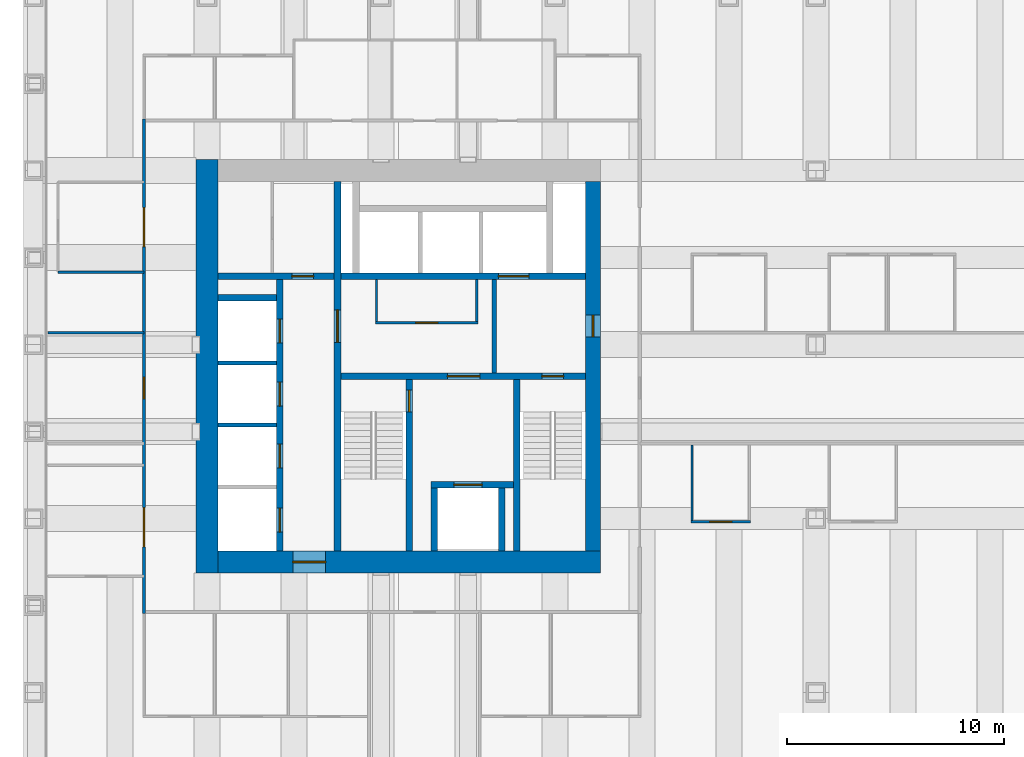
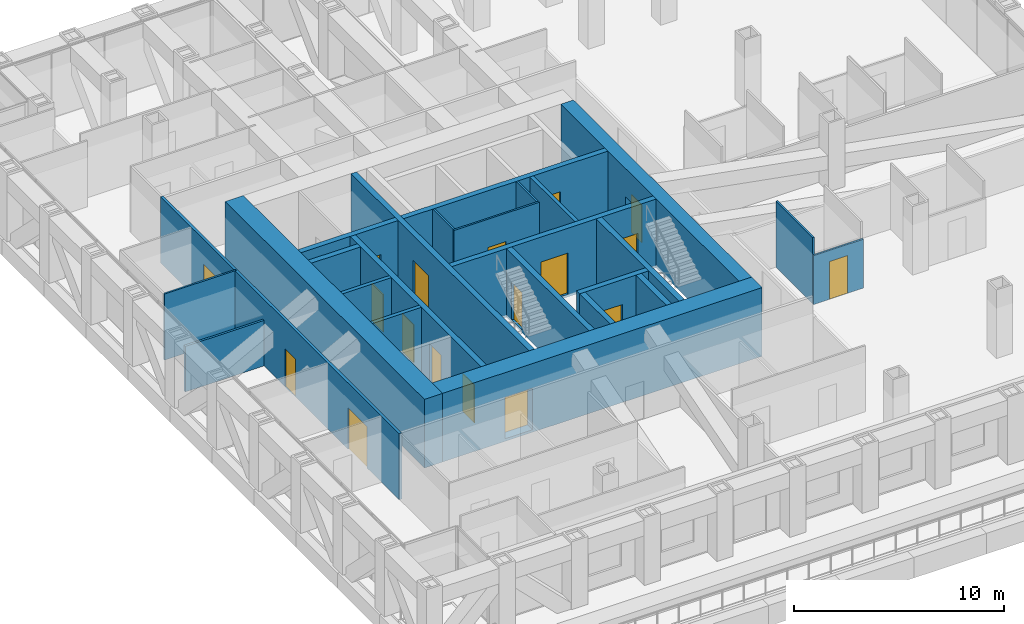
# One storey, part 13 of 18: 25 walls, 18 doors, 18 openings.
"""IFC4 building model written with IfcOpenShell, lengths in metres."""

from ifc_helpers import new_model, si_unit, direction, frame, frame_2d, origin, place, context, subcontext, project, spatial, rectangle, extrude, material, layer, layer_set, type_object, element, fill, save


model = new_model("IFC4")

# Units and contexts
model_context = context("Model", 3, precision=1e-05, world=origin(), true_north=direction((0.0, 1.0)))
body_context = subcontext(model_context, "Body", "Model", "MODEL_VIEW")
ifc_project = project(units=[si_unit("LENGTHUNIT", "METRE"), si_unit("AREAUNIT", "SQUARE_METRE"), si_unit("VOLUMEUNIT", "CUBIC_METRE"), si_unit("PLANEANGLEUNIT", "RADIAN"), si_unit("MASSUNIT", "GRAM", prefix="KILO")], contexts=[model_context])

# Site, building, storey
site_placement = place(None, origin())
site = spatial("IfcSite", under=ifc_project, at=site_placement, CompositionType="ELEMENT")
building_placement = place(site_placement, origin())
building = spatial("IfcBuilding", under=site, at=building_placement, Name="Rimbunsela Tower", CompositionType="ELEMENT")
storey_placement = place(building_placement, frame((0.0, 0.0, 105.39990234375)))
storey = spatial("IfcBuildingStorey", under=building, at=storey_placement, Name="L25", CompositionType="ELEMENT", Elevation=105.39990234375)

# Wall, opening, door
ifc_material_1 = material(Name="Concrete fc' 80 MPa", Category="concrete")
ifc_layer_1 = layer(ifc_material_1, 0.300048828125)
ifc_layer_set_1 = layer_set([ifc_layer_1], Name="Core internal wall 300")
wall_type_1 = type_object("IfcWallType", Name="Core internal wall 300", PredefinedType="SHEAR", material=ifc_layer_set_1)
wall_1_placement = place(storey_placement, frame((24.0, 18.5, -0.14990234375), z_axis=(0.0, 0.0, 1.0), x_axis=(0.0, 1.0, 0.0)))
wall_1 = element("IfcWall", 1, at=wall_1_placement, inside=storey, type_object=wall_type_1, Name="Core wall at stair A", PredefinedType="SHEAR", context=body_context, shape_type="SweptSolid", body=[
    extrude(rectangle(XDim=17.0, YDim=0.300048828125, at=frame_2d((8.5, 0.0))), origin(), (0.0, 0.0, 1.0), 4.0),
])
opening_1_placement = place(wall_1_placement, frame((9.60009765625, 0.0, 0.14990234375)))
opening_1 = element("IfcOpeningElement", 2, at=opening_1_placement, cuts=wall_1, Name="Opening D03", PredefinedType="OPENING", context=body_context, shape_type="SweptSolid", body=[
    extrude(rectangle(XDim=1.5, YDim=2.39990234375, at=frame_2d((0.75, 1.199951171875))), frame((0.0, 0.159912109375, 0.0), z_axis=(0.0, -1.0, 0.0), x_axis=(1.0, 0.0, 0.0)), (0.0, 0.0, 1.0), 0.320068359375),
])
ifc_material_2 = material(Name="Steel door, fire rated", Category="steel")
door_type_1 = type_object("IfcDoorType", Name="Core lobby door 1500", OperationType="DOUBLE_DOOR_DOUBLE_SWING", PredefinedType="DOOR", material=ifc_material_2)
door_1_placement = place(opening_1_placement, origin())
door_1 = element("IfcDoor", 3, at=door_1_placement, inside=storey, type_object=door_type_1, Name="West lobby door", OperationType="DOUBLE_DOOR_DOUBLE_SWING", OverallHeight=2.39990234375, OverallWidth=1.5, PredefinedType="DOOR", context=body_context, shape_type="SweptSolid", body=[
    extrude(rectangle(XDim=1.5, YDim=2.39990234375, at=frame_2d((0.75, 1.199951171875))), frame((0.0, 0.02490234375, 0.0), z_axis=(0.0, -1.0, 0.0), x_axis=(1.0, 0.0, 0.0)), (0.0, 0.0, 1.0), 0.050048828125),
])
fill(opening_1, door_1)

# Wall, openings, doors
wall_2_placement = place(storey_placement, frame((24.14990234375, 26.550048828125, -0.14990234375), z_axis=(0.0, 0.0, 1.0), x_axis=(1.0, 0.0, 0.0)))
wall_2 = element("IfcWall", 4, at=wall_2_placement, inside=storey, type_object=wall_type_1, Name="Core wall lobby south", PredefinedType="SHEAR", context=body_context, shape_type="SweptSolid", body=[
    extrude(rectangle(XDim=11.25, YDim=0.300048828125, at=frame_2d((5.625, 0.0))), origin(), (0.0, 0.0, 1.0), 4.0),
])
opening_2_placement = place(wall_2_placement, frame((9.25, 0.0, 0.14990234375)))
opening_2 = element("IfcOpeningElement", 5, at=opening_2_placement, cuts=wall_2, Name="Opening D01", PredefinedType="OPENING", context=body_context, shape_type="SweptSolid", body=[
    extrude(rectangle(XDim=1.0, YDim=2.199951171875, at=frame_2d((0.5, 1.10009765625))), frame((0.0, 0.159912109375, 0.0), z_axis=(0.0, -1.0, 0.0), x_axis=(1.0, 0.0, 0.0)), (0.0, 0.0, 1.0), 0.320068359375),
])
opening_3_placement = place(wall_2_placement, frame((4.89990234375, 0.0, 0.14990234375)))
opening_3 = element("IfcOpeningElement", 6, at=opening_3_placement, cuts=wall_2, Name="Opening D03", PredefinedType="OPENING", context=body_context, shape_type="SweptSolid", body=[
    extrude(rectangle(XDim=1.5, YDim=2.39990234375, at=frame_2d((0.75, 1.199951171875))), frame((0.0, 0.159912109375, 0.0), z_axis=(0.0, -1.0, 0.0), x_axis=(1.0, 0.0, 0.0)), (0.0, 0.0, 1.0), 0.320068359375),
])
door_2_placement = place(opening_3_placement, origin())
door_2 = element("IfcDoor", 7, at=door_2_placement, inside=storey, type_object=door_type_1, Name="Firefighting lobby door", OperationType="DOUBLE_DOOR_DOUBLE_SWING", OverallHeight=2.39990234375, OverallWidth=1.5, PredefinedType="DOOR", context=body_context, shape_type="SweptSolid", body=[
    extrude(rectangle(XDim=1.5, YDim=2.39990234375, at=frame_2d((0.75, 1.199951171875))), frame((0.0, 0.02490234375, 0.0), z_axis=(0.0, -1.0, 0.0), x_axis=(1.0, 0.0, 0.0)), (0.0, 0.0, 1.0), 0.050048828125),
])
fill(opening_3, door_2)
ifc_material_3 = material(Name="Steel door, fire rated", Category="steel")
door_type_2 = type_object("IfcDoorType", Name="Stair door 1000", OperationType="SINGLE_SWING_RIGHT", PredefinedType="DOOR", material=ifc_material_3)
door_3_placement = place(opening_2_placement, frame((1.0, 0.0, 0.0), z_axis=(0.0, 0.0, 1.0), x_axis=(-1.0, 0.0, 0.0)))
door_3 = element("IfcDoor", 8, at=door_3_placement, inside=storey, type_object=door_type_2, Name="Stair B door", OperationType="SINGLE_SWING_RIGHT", OverallHeight=2.199951171875, OverallWidth=1.0, PredefinedType="DOOR", context=body_context, shape_type="SweptSolid", body=[
    extrude(rectangle(XDim=1.0, YDim=2.199951171875, at=frame_2d((0.5, 1.10009765625))), frame((0.0, 0.02490234375, 0.0), z_axis=(0.0, -1.0, 0.0), x_axis=(1.0, 0.0, 0.0)), (0.0, 0.0, 1.0), 0.050048828125),
])
fill(opening_2, door_3)

# Wall, opening, door
wall_3_placement = place(storey_placement, frame((27.300048828125, 18.5, -0.14990234375), z_axis=(0.0, 0.0, 1.0), x_axis=(0.0, 1.0, 0.0)))
wall_3 = element("IfcWall", 9, at=wall_3_placement, inside=storey, type_object=wall_type_1, Name="Stair A enclosure", PredefinedType="SHEAR", context=body_context, shape_type="SweptSolid", body=[
    extrude(rectangle(XDim=7.89990234375, YDim=0.300048828125, at=frame_2d((3.949951171875, 0.0))), origin(), (0.0, 0.0, 1.0), 4.0),
])
opening_4_placement = place(wall_3_placement, frame((6.39990234375, 0.0, 0.14990234375)))
opening_4 = element("IfcOpeningElement", 10, at=opening_4_placement, cuts=wall_3, Name="Opening D01", PredefinedType="OPENING", context=body_context, shape_type="SweptSolid", body=[
    extrude(rectangle(XDim=1.0, YDim=2.199951171875, at=frame_2d((0.5, 1.10009765625))), frame((0.0, 0.159912109375, 0.0), z_axis=(0.0, -1.0, 0.0), x_axis=(1.0, 0.0, 0.0)), (0.0, 0.0, 1.0), 0.320068359375),
])
door_4_placement = place(opening_4_placement, origin())
door_4 = element("IfcDoor", 11, at=door_4_placement, inside=storey, type_object=door_type_2, Name="Stair A door", OperationType="SINGLE_SWING_RIGHT", OverallHeight=2.199951171875, OverallWidth=1.0, PredefinedType="DOOR", context=body_context, shape_type="SweptSolid", body=[
    extrude(rectangle(XDim=1.0, YDim=2.199951171875, at=frame_2d((0.5, 1.10009765625))), frame((0.0, 0.02490234375, 0.0), z_axis=(0.0, -1.0, 0.0), x_axis=(1.0, 0.0, 0.0)), (0.0, 0.0, 1.0), 0.050048828125),
])
fill(opening_4, door_4)

# Walls
wall_4_placement = place(storey_placement, frame((32.25, 18.5, -0.14990234375), z_axis=(0.0, 0.0, 1.0), x_axis=(0.0, 1.0, 0.0)))
element("IfcWall", 12, at=wall_4_placement, inside=storey, type_object=wall_type_1, Name="Stair B enclosure", PredefinedType="SHEAR", context=body_context, shape_type="SweptSolid", body=[
    extrude(rectangle(XDim=7.89990234375, YDim=0.300048828125, at=frame_2d((3.949951171875, 0.0))), origin(), (0.0, 0.0, 1.0), 4.0),
])
for number, where, z_axis, x_axis, name in (
    (13, (28.449951171875, 18.5, -0.14990234375), (0.0, 0.0, 1.0), (0.0, 1.0, 0.0), "Firefighting lift shaft west"),
    (14, (31.550048828125, 18.5, -0.14990234375), (0.0, 0.0, 1.0), (0.0, 1.0, 0.0), "Firefighting lift shaft east"),
):
    element("IfcWall", number, at=place(storey_placement, frame(where, z_axis=z_axis, x_axis=x_axis)), inside=storey, type_object=wall_type_1, Name=name, PredefinedType="SHEAR", context=body_context, shape_type="SweptSolid", body=[
        extrude(rectangle(XDim=2.89990234375, YDim=0.300048828125, at=frame_2d((1.449951171875, 0.0))), origin(), (0.0, 0.0, 1.0), 4.0),
    ])

# Wall, opening, door
wall_5_placement = place(storey_placement, frame((28.300048828125, 21.550048828125, -0.14990234375), z_axis=(0.0, 0.0, 1.0), x_axis=(1.0, 0.0, 0.0)))
wall_5 = element("IfcWall", 15, at=wall_5_placement, inside=storey, type_object=wall_type_1, Name="Firefighting lift shaft front", PredefinedType="SHEAR", context=body_context, shape_type="SweptSolid", body=[
    extrude(rectangle(XDim=3.800048828125, YDim=0.300048828125, at=frame_2d((1.89990234375, 0.0))), origin(), (0.0, 0.0, 1.0), 4.0),
])
opening_5_placement = place(wall_5_placement, frame((1.050048828125, 0.0, 0.14990234375)))
opening_5 = element("IfcOpeningElement", 16, at=opening_5_placement, cuts=wall_5, Name="Opening LD2", PredefinedType="OPENING", context=body_context, shape_type="SweptSolid", body=[
    extrude(rectangle(XDim=1.300048828125, YDim=2.39990234375, at=frame_2d((0.64990234375, 1.199951171875))), frame((0.0, 0.159912109375, 0.0), z_axis=(0.0, -1.0, 0.0), x_axis=(1.0, 0.0, 0.0)), (0.0, 0.0, 1.0), 0.320068359375),
])
ifc_material_4 = material(Name="Steel door, fire rated", Category="steel")
door_type_3 = type_object("IfcDoorType", Name="Lift landing door 1300", OperationType="DOUBLE_DOOR_SLIDING", PredefinedType="DOOR", material=ifc_material_4)
door_5_placement = place(opening_5_placement, origin())
door_5 = element("IfcDoor", 17, at=door_5_placement, inside=storey, type_object=door_type_3, Name="Lift landing door FL1", OperationType="DOUBLE_DOOR_SLIDING", OverallHeight=2.39990234375, OverallWidth=1.300048828125, PredefinedType="DOOR", context=body_context, shape_type="SweptSolid", body=[
    extrude(rectangle(XDim=1.300048828125, YDim=2.39990234375, at=frame_2d((0.64990234375, 1.199951171875))), frame((0.0, 0.02490234375, 0.0), z_axis=(0.0, -1.0, 0.0), x_axis=(1.0, 0.0, 0.0)), (0.0, 0.0, 1.0), 0.050048828125),
])
fill(opening_5, door_5)

wall_6_placement = place(storey_placement, frame((24.14990234375, 31.14990234375, -0.14990234375), z_axis=(0.0, 0.0, 1.0), x_axis=(1.0, 0.0, 0.0)))
wall_6 = element("IfcWall", 18, at=wall_6_placement, inside=storey, type_object=wall_type_1, Name="Lift shaft front north", PredefinedType="SHEAR", context=body_context, shape_type="SweptSolid", body=[
    extrude(rectangle(XDim=11.25, YDim=0.300048828125, at=frame_2d((5.625, 0.0))), origin(), (0.0, 0.0, 1.0), 4.0),
])
opening_6_placement = place(wall_6_placement, frame((7.25, 0.0, 0.14990234375)))
opening_6 = element("IfcOpeningElement", 19, at=opening_6_placement, cuts=wall_6, Name="Opening LD3", PredefinedType="OPENING", context=body_context, shape_type="SweptSolid", body=[
    extrude(rectangle(XDim=1.39990234375, YDim=2.39990234375, at=frame_2d((0.699951171875, 1.199951171875))), frame((0.0, 0.159912109375, 0.0), z_axis=(0.0, -1.0, 0.0), x_axis=(1.0, 0.0, 0.0)), (0.0, 0.0, 1.0), 0.320068359375),
])
ifc_material_5 = material(Name="Steel door, fire rated", Category="steel")
door_type_4 = type_object("IfcDoorType", Name="Lift landing door 1400", OperationType="DOUBLE_DOOR_SLIDING", PredefinedType="DOOR", material=ifc_material_5)
door_6_placement = place(opening_6_placement, origin())
door_6 = element("IfcDoor", 20, at=door_6_placement, inside=storey, type_object=door_type_4, Name="Lift landing door FL2", OperationType="DOUBLE_DOOR_SLIDING", OverallHeight=2.39990234375, OverallWidth=1.39990234375, PredefinedType="DOOR", context=body_context, shape_type="SweptSolid", body=[
    extrude(rectangle(XDim=1.39990234375, YDim=2.39990234375, at=frame_2d((0.699951171875, 1.199951171875))), frame((0.0, 0.02490234375, 0.0), z_axis=(0.0, -1.0, 0.0), x_axis=(1.0, 0.0, 0.0)), (0.0, 0.0, 1.0), 0.050048828125),
])
fill(opening_6, door_6)

# Wall, openings, doors
wall_7_placement = place(storey_placement, frame((21.35009765625, 18.5, -0.14990234375), z_axis=(0.0, 0.0, 1.0), x_axis=(0.0, 1.0, 0.0)))
wall_7 = element("IfcWall", 21, at=wall_7_placement, inside=storey, type_object=wall_type_1, Name="Lift shaft front west", PredefinedType="SHEAR", context=body_context, shape_type="SweptSolid", body=[
    extrude(rectangle(XDim=12.5, YDim=0.300048828125, at=frame_2d((6.25, 0.0))), origin(), (0.0, 0.0, 1.0), 4.0),
])
opening_7_placement = place(wall_7_placement, frame((0.875, 0.0, 0.14990234375)))
opening_7 = element("IfcOpeningElement", 22, at=opening_7_placement, cuts=wall_7, Name="Opening LD1", PredefinedType="OPENING", context=body_context, shape_type="SweptSolid", body=[
    extrude(rectangle(XDim=1.10009765625, YDim=2.199951171875, at=frame_2d((0.550048828125, 1.10009765625))), frame((0.0, 0.159912109375, 0.0), z_axis=(0.0, -1.0, 0.0), x_axis=(1.0, 0.0, 0.0)), (0.0, 0.0, 1.0), 0.320068359375),
])
opening_8_placement = place(wall_7_placement, frame((3.824951171875, 0.0, 0.14990234375)))
opening_8 = element("IfcOpeningElement", 23, at=opening_8_placement, cuts=wall_7, Name="Opening LD1", PredefinedType="OPENING", context=body_context, shape_type="SweptSolid", body=[
    extrude(rectangle(XDim=1.10009765625, YDim=2.199951171875, at=frame_2d((0.550048828125, 1.10009765625))), frame((0.0, 0.159912109375, 0.0), z_axis=(0.0, -1.0, 0.0), x_axis=(1.0, 0.0, 0.0)), (0.0, 0.0, 1.0), 0.320068359375),
])
opening_9_placement = place(wall_7_placement, frame((6.675048828125, 0.0, 0.14990234375)))
opening_9 = element("IfcOpeningElement", 24, at=opening_9_placement, cuts=wall_7, Name="Opening LD1", PredefinedType="OPENING", context=body_context, shape_type="SweptSolid", body=[
    extrude(rectangle(XDim=1.10009765625, YDim=2.199951171875, at=frame_2d((0.550048828125, 1.10009765625))), frame((0.0, 0.159912109375, 0.0), z_axis=(0.0, -1.0, 0.0), x_axis=(1.0, 0.0, 0.0)), (0.0, 0.0, 1.0), 0.320068359375),
])
opening_10_placement = place(wall_7_placement, frame((9.574951171875, 0.0, 0.14990234375)))
opening_10 = element("IfcOpeningElement", 25, at=opening_10_placement, cuts=wall_7, Name="Opening LD1", PredefinedType="OPENING", context=body_context, shape_type="SweptSolid", body=[
    extrude(rectangle(XDim=1.10009765625, YDim=2.199951171875, at=frame_2d((0.550048828125, 1.10009765625))), frame((0.0, 0.159912109375, 0.0), z_axis=(0.0, -1.0, 0.0), x_axis=(1.0, 0.0, 0.0)), (0.0, 0.0, 1.0), 0.320068359375),
])
ifc_material_6 = material(Name="Steel door, fire rated", Category="steel")
door_type_5 = type_object("IfcDoorType", Name="Lift landing door 1100", OperationType="DOUBLE_DOOR_SLIDING", PredefinedType="DOOR", material=ifc_material_6)
door_7_placement = place(opening_7_placement, origin())
door_7 = element("IfcDoor", 26, at=door_7_placement, inside=storey, type_object=door_type_5, Name="Lift landing door ML1", OperationType="DOUBLE_DOOR_SLIDING", OverallHeight=2.199951171875, OverallWidth=1.10009765625, PredefinedType="DOOR", context=body_context, shape_type="SweptSolid", body=[
    extrude(rectangle(XDim=1.10009765625, YDim=2.199951171875, at=frame_2d((0.550048828125, 1.10009765625))), frame((0.0, 0.02490234375, 0.0), z_axis=(0.0, -1.0, 0.0), x_axis=(1.0, 0.0, 0.0)), (0.0, 0.0, 1.0), 0.050048828125),
])
fill(opening_7, door_7)
door_8_placement = place(opening_8_placement, origin())
door_8 = element("IfcDoor", 27, at=door_8_placement, inside=storey, type_object=door_type_5, Name="Lift landing door ML2", OperationType="DOUBLE_DOOR_SLIDING", OverallHeight=2.199951171875, OverallWidth=1.10009765625, PredefinedType="DOOR", context=body_context, shape_type="SweptSolid", body=[
    extrude(rectangle(XDim=1.10009765625, YDim=2.199951171875, at=frame_2d((0.550048828125, 1.10009765625))), frame((0.0, 0.02490234375, 0.0), z_axis=(0.0, -1.0, 0.0), x_axis=(1.0, 0.0, 0.0)), (0.0, 0.0, 1.0), 0.050048828125),
])
fill(opening_8, door_8)
door_9_placement = place(opening_9_placement, origin())
door_9 = element("IfcDoor", 28, at=door_9_placement, inside=storey, type_object=door_type_5, Name="Lift landing door ML3", OperationType="DOUBLE_DOOR_SLIDING", OverallHeight=2.199951171875, OverallWidth=1.10009765625, PredefinedType="DOOR", context=body_context, shape_type="SweptSolid", body=[
    extrude(rectangle(XDim=1.10009765625, YDim=2.199951171875, at=frame_2d((0.550048828125, 1.10009765625))), frame((0.0, 0.02490234375, 0.0), z_axis=(0.0, -1.0, 0.0), x_axis=(1.0, 0.0, 0.0)), (0.0, 0.0, 1.0), 0.050048828125),
])
fill(opening_9, door_9)
door_10_placement = place(opening_10_placement, origin())
door_10 = element("IfcDoor", 29, at=door_10_placement, inside=storey, type_object=door_type_5, Name="Lift landing door ML4", OperationType="DOUBLE_DOOR_SLIDING", OverallHeight=2.199951171875, OverallWidth=1.10009765625, PredefinedType="DOOR", context=body_context, shape_type="SweptSolid", body=[
    extrude(rectangle(XDim=1.10009765625, YDim=2.199951171875, at=frame_2d((0.550048828125, 1.10009765625))), frame((0.0, 0.02490234375, 0.0), z_axis=(0.0, -1.0, 0.0), x_axis=(1.0, 0.0, 0.0)), (0.0, 0.0, 1.0), 0.050048828125),
])
fill(opening_10, door_10)

# Wall, opening, door
wall_8_placement = place(storey_placement, frame((18.5, 31.14990234375, -0.14990234375), z_axis=(0.0, 0.0, 1.0), x_axis=(1.0, 0.0, 0.0)))
wall_8 = element("IfcWall", 30, at=wall_8_placement, inside=storey, type_object=wall_type_1, Name="Store wall", PredefinedType="SHEAR", context=body_context, shape_type="SweptSolid", body=[
    extrude(rectangle(XDim=5.35009765625, YDim=0.300048828125, at=frame_2d((2.675048828125, 0.0))), origin(), (0.0, 0.0, 1.0), 4.0),
])
opening_11_placement = place(wall_8_placement, frame((3.39990234375, 0.0, 0.14990234375)))
opening_11 = element("IfcOpeningElement", 31, at=opening_11_placement, cuts=wall_8, Name="Opening D19", PredefinedType="OPENING", context=body_context, shape_type="SweptSolid", body=[
    extrude(rectangle(XDim=1.0, YDim=2.199951171875, at=frame_2d((0.5, 1.10009765625))), frame((0.0, 0.159912109375, 0.0), z_axis=(0.0, -1.0, 0.0), x_axis=(1.0, 0.0, 0.0)), (0.0, 0.0, 1.0), 0.320068359375),
])
ifc_material_7 = material(Name="Steel door, fire rated", Category="steel")
door_type_6 = type_object("IfcDoorType", Name="Service door 1000 fire rated", OperationType="SINGLE_SWING_LEFT", PredefinedType="DOOR", material=ifc_material_7)
door_11_placement = place(opening_11_placement, origin())
door_11 = element("IfcDoor", 32, at=door_11_placement, inside=storey, type_object=door_type_6, Name="IT room door", OperationType="SINGLE_SWING_LEFT", OverallHeight=2.199951171875, OverallWidth=1.0, PredefinedType="DOOR", context=body_context, shape_type="SweptSolid", body=[
    extrude(rectangle(XDim=1.0, YDim=2.199951171875, at=frame_2d((0.5, 1.10009765625))), frame((0.0, 0.02490234375, 0.0), z_axis=(0.0, -1.0, 0.0), x_axis=(1.0, 0.0, 0.0)), (0.0, 0.0, 1.0), 0.050048828125),
])
fill(opening_11, door_11)

# Wall
wall_9_placement = place(storey_placement, frame((18.5, 30.14990234375, -0.14990234375), z_axis=(0.0, 0.0, 1.0), x_axis=(1.0, 0.0, 0.0)))
element("IfcWall", 33, at=wall_9_placement, inside=storey, type_object=wall_type_1, Name="Lift shaft rear west", PredefinedType="SHEAR", context=body_context, shape_type="SweptSolid", body=[
    extrude(rectangle(XDim=2.699951171875, YDim=0.300048828125, at=frame_2d((1.35009765625, 0.0))), origin(), (0.0, 0.0, 1.0), 4.0),
])

# Wall, opening, door
ifc_material_8 = material(Name="Concrete blockwork", Category="masonry")
ifc_layer_2 = layer(ifc_material_8, 0.10009765625)
ifc_layer_set_2 = layer_set([ifc_layer_2], Name="Core room partition 100")
wall_type_2 = type_object("IfcWallType", Name="Core room partition 100", PredefinedType="PARTITIONING", material=ifc_layer_set_2)
wall_10_placement = place(storey_placement, frame((25.75, 29.0, 0.0), z_axis=(0.0, 0.0, 1.0), x_axis=(1.0, 0.0, 0.0)))
wall_10 = element("IfcWall", 34, at=wall_10_placement, inside=storey, type_object=wall_type_2, Name="Lobby room wall", PredefinedType="PARTITIONING", context=body_context, shape_type="SweptSolid", body=[
    extrude(rectangle(XDim=4.699951171875, YDim=0.10009765625, at=frame_2d((2.35009765625, 0.0))), origin(), (0.0, 0.0, 1.0), 3.85009765625),
])
opening_12_placement = place(wall_10_placement, frame((1.85009765625, 0.0, 0.0)))
opening_12 = element("IfcOpeningElement", 35, at=opening_12_placement, cuts=wall_10, Name="Opening D19", PredefinedType="OPENING", context=body_context, shape_type="SweptSolid", body=[
    extrude(rectangle(XDim=1.0, YDim=2.199951171875, at=frame_2d((0.5, 1.10009765625))), frame((0.0, 0.06005859375, 0.0), z_axis=(0.0, -1.0, 0.0), x_axis=(1.0, 0.0, 0.0)), (0.0, 0.0, 1.0), 0.1201171875),
])
door_12_placement = place(opening_12_placement, origin())
door_12 = element("IfcDoor", 36, at=door_12_placement, inside=storey, type_object=door_type_6, Name="Tenant store door", OperationType="SINGLE_SWING_LEFT", OverallHeight=2.199951171875, OverallWidth=1.0, PredefinedType="DOOR", context=body_context, shape_type="SweptSolid", body=[
    extrude(rectangle(XDim=1.0, YDim=2.199951171875, at=frame_2d((0.5, 1.10009765625))), frame((0.0, 0.02490234375, 0.0), z_axis=(0.0, -1.0, 0.0), x_axis=(1.0, 0.0, 0.0)), (0.0, 0.0, 1.0), 0.050048828125),
])
fill(opening_12, door_12)

# Walls
for number, where, z_axis, x_axis, name in (
    (37, (25.800048828125, 29.050048828125, 0.0), (0.0, 0.0, 1.0), (0.0, 1.0, 0.0), "Lobby room wall"),
    (38, (30.39990234375, 29.050048828125, 0.0), (0.0, 0.0, 1.0), (0.0, 1.0, 0.0), "Lobby room wall"),
):
    element("IfcWall", number, at=place(storey_placement, frame(where, z_axis=z_axis, x_axis=x_axis)), inside=storey, type_object=wall_type_2, Name=name, PredefinedType="PARTITIONING", context=body_context, shape_type="SweptSolid", body=[
        extrude(rectangle(XDim=1.949951171875, YDim=0.10009765625, at=frame_2d((0.97509765625, 0.0))), origin(), (0.0, 0.0, 1.0), 3.85009765625),
    ])
ifc_material_9 = material(Name="Concrete fc' 80 MPa", Category="concrete")
ifc_layer_3 = layer(ifc_material_9, 1.0)
ifc_layer_set_3 = layer_set([ifc_layer_3], Name="Core wall 1000")
wall_type_3 = type_object("IfcWallType", Name="Core wall 1000", PredefinedType="SHEAR", material=ifc_layer_set_3)
wall_11_placement = place(storey_placement, frame((18.0, 17.5, -0.14990234375), z_axis=(0.0, 0.0, 1.0), x_axis=(0.0, 1.0, 0.0)))
element("IfcWall", 39, at=wall_11_placement, inside=storey, type_object=wall_type_3, Name="Core wall west", PredefinedType="SHEAR", context=body_context, shape_type="SweptSolid", body=[
    extrude(rectangle(XDim=19.0, YDim=1.0, at=frame_2d((9.5, 0.0))), origin(), (0.0, 0.0, 1.0), 4.0),
])

# Wall, opening, door
wall_12_placement = place(storey_placement, frame((18.5, 18.0, -0.14990234375), z_axis=(0.0, 0.0, 1.0), x_axis=(1.0, 0.0, 0.0)))
wall_12 = element("IfcWall", 40, at=wall_12_placement, inside=storey, type_object=wall_type_3, Name="Core wall south", PredefinedType="SHEAR", context=body_context, shape_type="SweptSolid", body=[
    extrude(rectangle(XDim=17.60009765625, YDim=1.0, at=frame_2d((8.800048828125, 0.0))), origin(), (0.0, 0.0, 1.0), 4.0),
])
opening_13_placement = place(wall_12_placement, frame((3.449951171875, 0.0, 0.14990234375)))
opening_13 = element("IfcOpeningElement", 41, at=opening_13_placement, cuts=wall_12, Name="Opening D03", PredefinedType="OPENING", context=body_context, shape_type="SweptSolid", body=[
    extrude(rectangle(XDim=1.5, YDim=2.39990234375, at=frame_2d((0.75, 1.199951171875))), frame((0.0, 0.510009765625, 0.0), z_axis=(0.0, -1.0, 0.0), x_axis=(1.0, 0.0, 0.0)), (0.0, 0.0, 1.0), 1.02001953125),
])
door_13_placement = place(opening_13_placement, origin())
door_13 = element("IfcDoor", 42, at=door_13_placement, inside=storey, type_object=door_type_1, Name="Core door south", OperationType="DOUBLE_DOOR_DOUBLE_SWING", OverallHeight=2.39990234375, OverallWidth=1.5, PredefinedType="DOOR", context=body_context, shape_type="SweptSolid", body=[
    extrude(rectangle(XDim=1.5, YDim=2.39990234375, at=frame_2d((0.75, 1.199951171875))), frame((0.0, 0.02490234375, 0.0), z_axis=(0.0, -1.0, 0.0), x_axis=(1.0, 0.0, 0.0)), (0.0, 0.0, 1.0), 0.050048828125),
])
fill(opening_13, door_13)

ifc_material_10 = material(Name="Concrete fc' 80 MPa", Category="concrete")
ifc_layer_4 = layer(ifc_material_10, 0.699951171875)
ifc_layer_set_4 = layer_set([ifc_layer_4], Name="Core wall 700 east")
wall_type_4 = type_object("IfcWallType", Name="Core wall 700 east", PredefinedType="SHEAR", material=ifc_layer_set_4)
wall_13_placement = place(storey_placement, frame((35.75, 18.5, -0.14990234375), z_axis=(0.0, 0.0, 1.0), x_axis=(0.0, 1.0, 0.0)))
wall_13 = element("IfcWall", 43, at=wall_13_placement, inside=storey, type_object=wall_type_4, Name="Core wall east", PredefinedType="SHEAR", context=body_context, shape_type="SweptSolid", body=[
    extrude(rectangle(XDim=17.0, YDim=0.699951171875, at=frame_2d((8.5, 0.0))), origin(), (0.0, 0.0, 1.0), 4.0),
])
opening_14_placement = place(wall_13_placement, frame((9.85009765625, 0.0, 0.14990234375)))
opening_14 = element("IfcOpeningElement", 44, at=opening_14_placement, cuts=wall_13, Name="Opening D01", PredefinedType="OPENING", context=body_context, shape_type="SweptSolid", body=[
    extrude(rectangle(XDim=1.0, YDim=2.199951171875, at=frame_2d((0.5, 1.10009765625))), frame((0.0, 0.35986328125, 0.0), z_axis=(0.0, -1.0, 0.0), x_axis=(1.0, 0.0, 0.0)), (0.0, 0.0, 1.0), 0.719970703125),
])
door_14_placement = place(opening_14_placement, origin())
door_14 = element("IfcDoor", 45, at=door_14_placement, inside=storey, type_object=door_type_2, Name="Firefighting lobby 2 door", OperationType="SINGLE_SWING_RIGHT", OverallHeight=2.199951171875, OverallWidth=1.0, PredefinedType="DOOR", context=body_context, shape_type="SweptSolid", body=[
    extrude(rectangle(XDim=1.0, YDim=2.199951171875, at=frame_2d((0.5, 1.10009765625))), frame((0.0, 0.02490234375, 0.0), z_axis=(0.0, -1.0, 0.0), x_axis=(1.0, 0.0, 0.0)), (0.0, 0.0, 1.0), 0.050048828125),
])
fill(opening_14, door_14)

# Walls
ifc_material_11 = material(Name="Concrete blockwork", Category="masonry")
ifc_layer_5 = layer(ifc_material_11, 0.199951171875)
ifc_layer_set_5 = layer_set([ifc_layer_5], Name="Lift shaft wall 200")
wall_type_5 = type_object("IfcWallType", Name="Lift shaft wall 200", PredefinedType="SOLIDWALL", material=ifc_layer_set_5)
for number, where, z_axis, x_axis, name in (
    (46, (18.5, 24.300048828125, -0.14990234375), (0.0, 0.0, 1.0), (1.0, 0.0, 0.0), "Lift shaft separation"),
    (47, (18.5, 27.14990234375, -0.14990234375), (0.0, 0.0, 1.0), (1.0, 0.0, 0.0), "Lift shaft separation"),
):
    element("IfcWall", number, at=place(storey_placement, frame(where, z_axis=z_axis, x_axis=x_axis)), inside=storey, type_object=wall_type_5, Name=name, PredefinedType="SOLIDWALL", context=body_context, shape_type="SweptSolid", body=[
        extrude(rectangle(XDim=2.699951171875, YDim=0.199951171875, at=frame_2d((1.35009765625, 0.0))), origin(), (0.0, 0.0, 1.0), 4.0),
    ])
wall_14_placement = place(storey_placement, frame((31.199951171875, 26.699951171875, 0.0), z_axis=(0.0, 0.0, 1.0), x_axis=(0.0, 1.0, 0.0)))
element("IfcWall", 48, at=wall_14_placement, inside=storey, type_object=wall_type_5, Name="Firefighting lobby 2 wall", PredefinedType="SOLIDWALL", context=body_context, shape_type="SweptSolid", body=[
    extrude(rectangle(XDim=4.300048828125, YDim=0.199951171875, at=frame_2d((2.14990234375, 0.0))), origin(), (0.0, 0.0, 1.0), 3.85009765625),
])

# Wall, opening, door
ifc_material_12 = material(Name="Gypsum board on steel studs", Category="steel")
ifc_layer_6 = layer(ifc_material_12, 0.10009765625)
ifc_layer_set_6 = layer_set([ifc_layer_6], Name="Office partition 100")
wall_type_6 = type_object("IfcWallType", Name="Office partition 100", PredefinedType="PARTITIONING", material=ifc_layer_set_6)
wall_15_placement = place(storey_placement, frame((40.25, 19.85009765625, 0.0), z_axis=(0.0, 0.0, 1.0), x_axis=(1.0, 0.0, 0.0)))
wall_15 = element("IfcWall", 49, at=wall_15_placement, inside=storey, type_object=wall_type_6, Name="Office partition", PredefinedType="PARTITIONING", context=body_context, shape_type="SweptSolid", body=[
    extrude(rectangle(XDim=2.75, YDim=0.10009765625, at=frame_2d((1.375, 0.0))), origin(), (0.0, 0.0, 1.0), 2.85009765625),
])
opening_15_placement = place(wall_15_placement, frame((0.875, 0.0, 0.0)))
opening_15 = element("IfcOpeningElement", 50, at=opening_15_placement, cuts=wall_15, Name="Opening D16", PredefinedType="OPENING", context=body_context, shape_type="SweptSolid", body=[
    extrude(rectangle(XDim=1.0, YDim=2.199951171875, at=frame_2d((0.5, 1.10009765625))), frame((0.0, 0.06005859375, 0.0), z_axis=(0.0, -1.0, 0.0), x_axis=(1.0, 0.0, 0.0)), (0.0, 0.0, 1.0), 0.1201171875),
])
ifc_material_13 = material(Name="Timber door", Category="wood")
door_type_7 = type_object("IfcDoorType", Name="Office door 1000", OperationType="SINGLE_SWING_LEFT", PredefinedType="DOOR", material=ifc_material_13)
door_15_placement = place(opening_15_placement, origin())
door_15 = element("IfcDoor", 51, at=door_15_placement, inside=storey, type_object=door_type_7, Name="Office door", OperationType="SINGLE_SWING_LEFT", OverallHeight=2.199951171875, OverallWidth=1.0, PredefinedType="DOOR", context=body_context, shape_type="SweptSolid", body=[
    extrude(rectangle(XDim=1.0, YDim=2.199951171875, at=frame_2d((0.5, 1.10009765625))), frame((0.0, 0.02490234375, 0.0), z_axis=(0.0, -1.0, 0.0), x_axis=(1.0, 0.0, 0.0)), (0.0, 0.0, 1.0), 0.050048828125),
])
fill(opening_15, door_15)

# Walls
wall_16_placement = place(storey_placement, frame((40.300048828125, 19.89990234375, 0.0), z_axis=(0.0, 0.0, 1.0), x_axis=(0.0, 1.0, 0.0)))
element("IfcWall", 52, at=wall_16_placement, inside=storey, type_object=wall_type_6, Name="Office partition", PredefinedType="PARTITIONING", context=body_context, shape_type="SweptSolid", body=[
    extrude(rectangle(XDim=3.489990234375, YDim=0.10009765625, at=frame_2d((1.7451171875, 0.0))), origin(), (0.0, 0.0, 1.0), 3.85009765625),
])
wall_17_placement = place(storey_placement, frame((11.14990234375, 31.325927734375, 0.0), z_axis=(0.0, 0.0, 1.0), x_axis=(1.0, 0.0, 0.0)))
element("IfcWall", 53, at=wall_17_placement, inside=storey, type_object=wall_type_6, Name="Office partition", PredefinedType="PARTITIONING", context=body_context, shape_type="SweptSolid", body=[
    extrude(rectangle(XDim=3.9501953125, YDim=0.10009765625, at=frame_2d((1.97509765625, 0.0))), origin(), (0.0, 0.0, 1.0), 3.85009765625),
])

# Wall, openings, doors
ifc_material_14 = material(Name="Fire-rated gypsum board on steel studs, EI 60", Category="steel")
ifc_layer_7 = layer(ifc_material_14, 0.14990234375)
ifc_layer_set_7 = layer_set([ifc_layer_7], Name="Rated corridor wall 150")
wall_type_7 = type_object("IfcWallType", Name="Rated corridor wall 150", PredefinedType="PARTITIONING", material=ifc_layer_set_7)
wall_18_placement = place(storey_placement, frame((15.10009765625, 15.625, 0.0), z_axis=(0.0, 0.0, 1.0), x_axis=(0.0, 1.0, 0.0)))
wall_18 = element("IfcWall", 54, at=wall_18_placement, inside=storey, type_object=wall_type_7, Name="Corridor wall west", PredefinedType="PARTITIONING", context=body_context, shape_type="SweptSolid", body=[
    extrude(rectangle(XDim=22.75, YDim=0.14990234375, at=frame_2d((11.375, 0.0))), origin(), (0.0, 0.0, 1.0), 3.85009765625),
])
opening_16_placement = place(wall_18_placement, frame((3.073974609375, 0.0, 0.0)))
opening_16 = element("IfcOpeningElement", 55, at=opening_16_placement, cuts=wall_18, Name="Opening D09", PredefinedType="OPENING", context=body_context, shape_type="SweptSolid", body=[
    extrude(rectangle(XDim=1.800048828125, YDim=2.39990234375, at=frame_2d((0.89990234375, 1.199951171875))), frame((0.0, 0.0849609375, 0.0), z_axis=(0.0, -1.0, 0.0), x_axis=(1.0, 0.0, 0.0)), (0.0, 0.0, 1.0), 0.169921875),
])
opening_17_placement = place(wall_18_placement, frame((16.8759765625, 0.0, 0.0)))
opening_17 = element("IfcOpeningElement", 56, at=opening_17_placement, cuts=wall_18, Name="Opening D09", PredefinedType="OPENING", context=body_context, shape_type="SweptSolid", body=[
    extrude(rectangle(XDim=1.800048828125, YDim=2.39990234375, at=frame_2d((0.89990234375, 1.199951171875))), frame((0.0, 0.0849609375, 0.0), z_axis=(0.0, -1.0, 0.0), x_axis=(1.0, 0.0, 0.0)), (0.0, 0.0, 1.0), 0.169921875),
])
opening_18_placement = place(wall_18_placement, frame((9.875, 0.0, 0.0)))
opening_18 = element("IfcOpeningElement", 57, at=opening_18_placement, cuts=wall_18, Name="Opening D19", PredefinedType="OPENING", context=body_context, shape_type="SweptSolid", body=[
    extrude(rectangle(XDim=1.0, YDim=2.199951171875, at=frame_2d((0.5, 1.10009765625))), frame((0.0, 0.0849609375, 0.0), z_axis=(0.0, -1.0, 0.0), x_axis=(1.0, 0.0, 0.0)), (0.0, 0.0, 1.0), 0.169921875),
])
door_16_placement = place(opening_18_placement, origin())
door_16 = element("IfcDoor", 58, at=door_16_placement, inside=storey, type_object=door_type_6, Name="Service chase access door", OperationType="SINGLE_SWING_LEFT", OverallHeight=2.199951171875, OverallWidth=1.0, PredefinedType="DOOR", context=body_context, shape_type="SweptSolid", body=[
    extrude(rectangle(XDim=1.0, YDim=2.199951171875, at=frame_2d((0.5, 1.10009765625))), frame((0.0, 0.02490234375, 0.0), z_axis=(0.0, -1.0, 0.0), x_axis=(1.0, 0.0, 0.0)), (0.0, 0.0, 1.0), 0.050048828125),
])
fill(opening_18, door_16)
ifc_material_15 = material(Name="Glazed aluminium door, fire rated", Category="aluminium")
door_type_8 = type_object("IfcDoorType", Name="Tenancy door 1800 glazed", OperationType="DOUBLE_DOOR_DOUBLE_SWING", PredefinedType="DOOR", material=ifc_material_15)
door_17_placement = place(opening_16_placement, origin())
door_17 = element("IfcDoor", 59, at=door_17_placement, inside=storey, type_object=door_type_8, Name="Tenancy door", OperationType="DOUBLE_DOOR_DOUBLE_SWING", OverallHeight=2.39990234375, OverallWidth=1.800048828125, PredefinedType="DOOR", context=body_context, shape_type="SweptSolid", body=[
    extrude(rectangle(XDim=1.800048828125, YDim=2.39990234375, at=frame_2d((0.89990234375, 1.199951171875))), frame((0.0, 0.02490234375, 0.0), z_axis=(0.0, -1.0, 0.0), x_axis=(1.0, 0.0, 0.0)), (0.0, 0.0, 1.0), 0.050048828125),
])
fill(opening_16, door_17)
door_18_placement = place(opening_17_placement, origin())
door_18 = element("IfcDoor", 60, at=door_18_placement, inside=storey, type_object=door_type_8, Name="Tenancy door", OperationType="DOUBLE_DOOR_DOUBLE_SWING", OverallHeight=2.39990234375, OverallWidth=1.800048828125, PredefinedType="DOOR", context=body_context, shape_type="SweptSolid", body=[
    extrude(rectangle(XDim=1.800048828125, YDim=2.39990234375, at=frame_2d((0.89990234375, 1.199951171875))), frame((0.0, 0.02490234375, 0.0), z_axis=(0.0, -1.0, 0.0), x_axis=(1.0, 0.0, 0.0)), (0.0, 0.0, 1.0), 0.050048828125),
])
fill(opening_17, door_18)

# Wall
ifc_material_16 = material(Name="Gypsum board on steel studs", Category="steel")
ifc_layer_8 = layer(ifc_material_16, 0.1201171875)
ifc_layer_set_8 = layer_set([ifc_layer_8], Name="Tenancy partition 120")
wall_type_8 = type_object("IfcWallType", Name="Tenancy partition 120", PredefinedType="PARTITIONING", material=ifc_layer_set_8)
wall_19_placement = place(storey_placement, frame((10.679931640625, 28.550048828125, 0.0), z_axis=(0.0, 0.0, 1.0), x_axis=(1.0, 0.0, 0.0)))
element("IfcWall", 61, at=wall_19_placement, inside=storey, type_object=wall_type_8, Name="Tenancy partition", PredefinedType="PARTITIONING", context=body_context, shape_type="SweptSolid", body=[
    extrude(rectangle(XDim=4.420166015625, YDim=0.1201171875, at=frame_2d((2.2099609375, 0.0))), origin(), (0.0, 0.0, 1.0), 2.650146484375),
])

save(model, "model.ifc")
